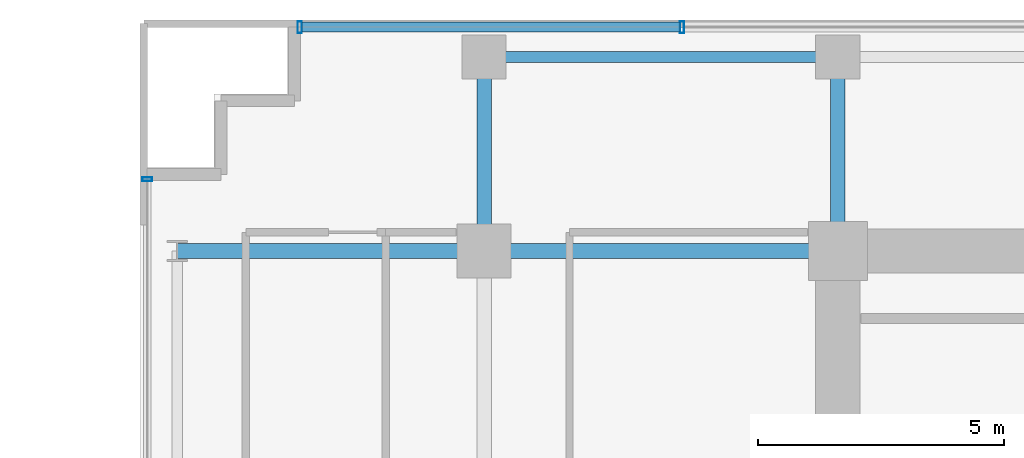
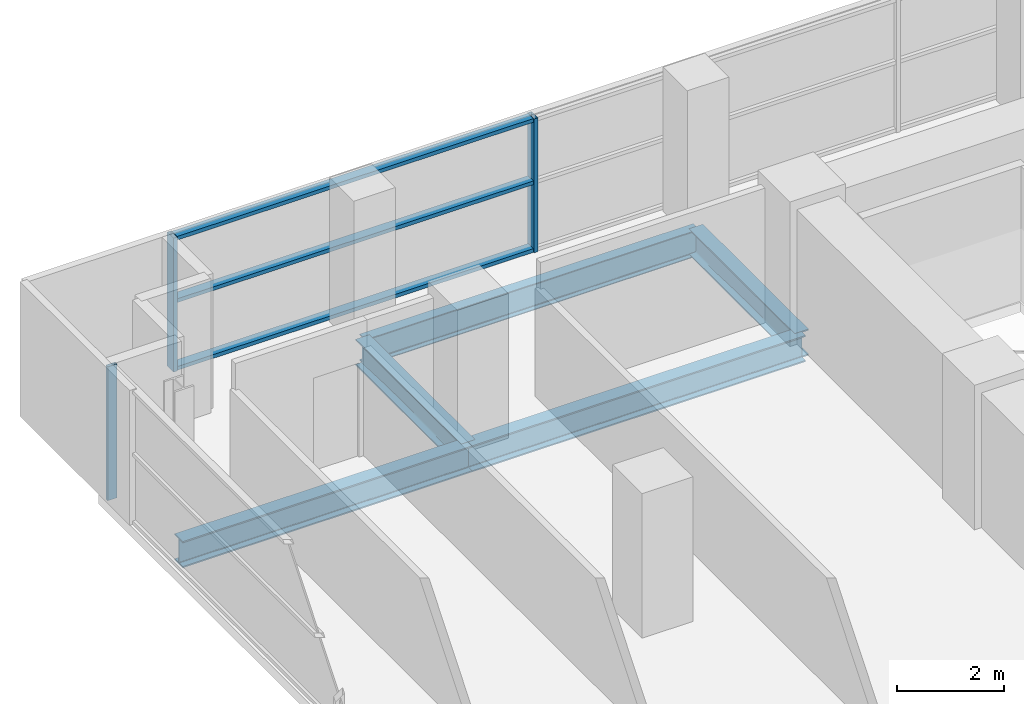
# One storey, part 18 of 31: 6 members, 5 beams, 2 elements without a shape of their own.
"""IFC4 building model written with IfcOpenShell, lengths in metres."""

from ifc_helpers import new_model, si_unit, direction, frame, origin, origin_2d, place, context, subcontext, project, spatial, hollow_rectangle, i_section, extrude, source, transform, mapped, material, layer, layer_set, material_profile, profile_set, type_object, element, aggregate, save


model = new_model("IFC4")

# Units and contexts
model_context = context("Model", 3, precision=1e-05, world=origin(), true_north=direction((0.0, 1.0)))
body_context = subcontext(model_context, "Body", "Model", "MODEL_VIEW")
ifc_project = project(units=[si_unit("LENGTHUNIT", "METRE"), si_unit("AREAUNIT", "SQUARE_METRE"), si_unit("VOLUMEUNIT", "CUBIC_METRE"), si_unit("PLANEANGLEUNIT", "RADIAN"), si_unit("MASSUNIT", "GRAM", prefix="KILO")], contexts=[model_context])

# Site, building, storey
site_placement = place(None, origin())
site = spatial("IfcSite", under=ifc_project, at=site_placement, CompositionType="ELEMENT")
building_placement = place(site_placement, origin())
building = spatial("IfcBuilding", under=site, at=building_placement, Name="Zarnakvel Exchange Tower", CompositionType="ELEMENT")
storey_placement = place(building_placement, frame((0.0, 0.0, 67.0)))
storey = spatial("IfcBuildingStorey", under=building, at=storey_placement, Name="L18", CompositionType="ELEMENT", Elevation=67.0)

# Beams
ifc_material_1 = material(Name="Steel S355", Category="steel")
ifc_material_profile_1 = material_profile(ifc_material_1, i_section(OverallWidth=0.300048828125, OverallDepth=0.60009765625, WebThickness=0.015380859375, FlangeThickness=0.030029296875, FilletRadius=0.027099609375, at=origin_2d()))
ifc_profile_set_1 = profile_set([ifc_material_profile_1], Name="Steel S355")
beam_type_1 = type_object("IfcBeamType", Name="G-04", PredefinedType="BEAM", material=ifc_profile_set_1)
beam_1_placement = place(storey_placement, frame((-27.85009765625, 13.5, -0.52490234375), z_axis=(1.0, 0.0, 0.0), x_axis=(0.0, 1.0, 0.0)))
element("IfcBeam", 1, at=beam_1_placement, inside=storey, type_object=beam_type_1, Name="L18 Tower E-W Frame Beam", PredefinedType="BEAM", context=body_context, shape_type="SweptSolid", body=[
    extrude(i_section(OverallWidth=0.300048828125, OverallDepth=0.60009765625, WebThickness=0.015380859375, FlangeThickness=0.030029296875, FilletRadius=0.027099609375, at=origin_2d()), origin(), (0.0, 0.0, 1.0), 6.25),
])
beam_2_placement = place(storey_placement, frame((-21.60009765625, 13.5, -0.52490234375), z_axis=(1.0, 0.0, 0.0), x_axis=(0.0, 1.0, 0.0)))
element("IfcBeam", 2, at=beam_2_placement, inside=storey, type_object=beam_type_1, Name="L18 Tower E-W Frame Beam", PredefinedType="BEAM", context=body_context, shape_type="SweptSolid", body=[
    extrude(i_section(OverallWidth=0.300048828125, OverallDepth=0.60009765625, WebThickness=0.015380859375, FlangeThickness=0.030029296875, FilletRadius=0.027099609375, at=origin_2d()), origin(), (0.0, 0.0, 1.0), 7.2001953125),
])
for number, where, z_axis, x_axis, name in (
    (3, (-21.60009765625, 13.5, -0.52490234375), (0.0, 1.0, 0.0), (-1.0, 0.0, 0.0), "L18 Tower N-S Frame Beam"),
    (4, (-14.39990234375, 13.5, -0.52490234375), (0.0, 1.0, 0.0), (-1.0, 0.0, 0.0), "L18 Tower N-S Frame Beam"),
):
    element("IfcBeam", number, at=place(storey_placement, frame(where, z_axis=z_axis, x_axis=x_axis)), inside=storey, type_object=beam_type_1, Name=name, PredefinedType="BEAM", context=body_context, shape_type="SweptSolid", body=[
        extrude(i_section(OverallWidth=0.300048828125, OverallDepth=0.60009765625, WebThickness=0.015380859375, FlangeThickness=0.030029296875, FilletRadius=0.027099609375, at=origin_2d()), origin(), (0.0, 0.0, 1.0), 3.949951171875),
    ])
ifc_material_profile_2 = material_profile(ifc_material_1, i_section(OverallWidth=0.219970703125, OverallDepth=0.60009765625, WebThickness=0.011962890625, FlangeThickness=0.01904296875, FilletRadius=0.02392578125, at=origin_2d()))
ifc_profile_set_2 = profile_set([ifc_material_profile_2], Name="Steel S355")
beam_type_2 = type_object("IfcBeamType", Name="SP-01", PredefinedType="SPANDREL", material=ifc_profile_set_2)
beam_3_placement = place(storey_placement, frame((-21.60009765625, 17.449951171875, -0.52490234375), z_axis=(1.0, 0.0, 0.0), x_axis=(0.0, 1.0, 0.0)))
element("IfcBeam", 5, at=beam_3_placement, inside=storey, type_object=beam_type_2, Name="L18 Tower E-W Frame Beam", PredefinedType="SPANDREL", context=body_context, shape_type="SweptSolid", body=[
    extrude(i_section(OverallWidth=0.219970703125, OverallDepth=0.60009765625, WebThickness=0.011962890625, FlangeThickness=0.01904296875, FilletRadius=0.02392578125, at=origin_2d()), origin(), (0.0, 0.0, 1.0), 7.2001953125),
])

# Curtain wall, members
ifc_material_2 = material(Name="Architectural Bronze Anodised Aluminium", Category="aluminium")
ifc_layer_1 = layer(ifc_material_2, 0.239990234375)
ifc_layer_set_1 = layer_set([ifc_layer_1], Name="Architectural Bronze Anodised Aluminium")
curtain_wall_type_1 = type_object("IfcCurtainWallType", Name="CW-02", PredefinedType="NOTDEFINED", material=ifc_layer_set_1)
curtain_wall_1_placement = place(storey_placement, origin())
curtain_wall_1 = element("IfcCurtainWall", 6, at=curtain_wall_1_placement, inside=storey, type_object=curtain_wall_type_1, Name="L18 Curtain Wall CW-L18-N1 (CW-02)", PredefinedType="NOTDEFINED")
ifc_material_profile_3 = material_profile(ifc_material_2, hollow_rectangle(XDim=0.199951171875, YDim=0.0849609375, WallThickness=0.0048828125, at=origin_2d()))
ifc_profile_set_3 = profile_set([ifc_material_profile_3], Name="Architectural Bronze Anodised Aluminium")
member_type_1 = type_object("IfcMemberType", Name="CWT-02", PredefinedType="USERDEFINED", material=ifc_profile_set_3)
shared_shape_1 = source(origin(), body_context, "Body", "SweptSolid", [
    extrude(hollow_rectangle(XDim=0.199951171875, YDim=0.0849609375, WallThickness=0.0048828125, at=origin_2d()), origin(), (0.0, 0.0, 1.0), 7.693603515625),
])
member_1_placement = place(storey_placement, frame((-25.31005859375, 18.06005859375, 0.04248046875), z_axis=(1.0, 0.0, 0.0), x_axis=(0.0, 1.0, 0.0)))
member_1 = element("IfcMember", 7, at=member_1_placement, type_object=member_type_1, Name="CW-02 transom 1.1", ObjectType="TRANSOM", PredefinedType="USERDEFINED", context=body_context, shape_type="MappedRepresentation", body=[
    mapped(shared_shape_1, transform((0.0, 0.0, 0.0), x_axis=(1.0, 0.0, 0.0), y_axis=(0.0, 1.0, 0.0), z_axis=(0.0, 0.0, 1.0), scale=1.0)),
])
member_2_placement = place(storey_placement, frame((-25.31005859375, 18.06005859375, 1.588623046875), z_axis=(1.0, 0.0, 0.0), x_axis=(0.0, 1.0, 0.0)))
member_2 = element("IfcMember", 8, at=member_2_placement, type_object=member_type_1, Name="CW-02 transom 1.2", ObjectType="TRANSOM", PredefinedType="USERDEFINED", context=body_context, shape_type="MappedRepresentation", body=[
    mapped(shared_shape_1, transform((0.0, 0.0, 0.0), x_axis=(1.0, 0.0, 0.0), y_axis=(0.0, 1.0, 0.0), z_axis=(0.0, 0.0, 1.0), scale=1.0)),
])
member_3_placement = place(storey_placement, frame((-25.31005859375, 18.06005859375, 3.012451171875), z_axis=(1.0, 0.0, 0.0), x_axis=(0.0, 1.0, 0.0)))
member_3 = element("IfcMember", 9, at=member_3_placement, type_object=member_type_1, Name="CW-02 transom 1.3", ObjectType="TRANSOM", PredefinedType="USERDEFINED", context=body_context, shape_type="MappedRepresentation", body=[
    mapped(shared_shape_1, transform((0.0, 0.0, 0.0), x_axis=(1.0, 0.0, 0.0), y_axis=(0.0, 1.0, 0.0), z_axis=(0.0, 0.0, 1.0), scale=1.0)),
])
ifc_material_profile_4 = material_profile(ifc_material_2, hollow_rectangle(XDim=0.239990234375, YDim=0.090087890625, WallThickness=0.006103515625, at=origin_2d()))
ifc_profile_set_4 = profile_set([ifc_material_profile_4], Name="Architectural Bronze Anodised Aluminium")
member_type_2 = type_object("IfcMemberType", Name="CWM-02", PredefinedType="MULLION", material=ifc_profile_set_4)
shared_shape_2 = source(origin(), body_context, "Body", "SweptSolid", [
    extrude(hollow_rectangle(XDim=0.239990234375, YDim=0.090087890625, WallThickness=0.006103515625, at=origin_2d()), origin(), (0.0, 0.0, 1.0), 3.054931640625),
])
member_4_placement = place(storey_placement, frame((-25.35498046875, 18.06005859375, 0.0), z_axis=(0.0, 0.0, 1.0), x_axis=(0.0, 1.0, 0.0)))
member_4 = element("IfcMember", 10, at=member_4_placement, type_object=member_type_2, Name="CW-02 mullion 1", PredefinedType="MULLION", context=body_context, shape_type="MappedRepresentation", body=[
    mapped(shared_shape_2, transform((0.0, 0.0, 0.0), x_axis=(1.0, 0.0, 0.0), y_axis=(0.0, 1.0, 0.0), z_axis=(0.0, 0.0, 1.0), scale=1.0)),
])
member_5_placement = place(storey_placement, frame((-17.571533203125, 18.06005859375, 0.0), z_axis=(0.0, 0.0, 1.0), x_axis=(0.0, 1.0, 0.0)))
member_5 = element("IfcMember", 11, at=member_5_placement, type_object=member_type_2, Name="CW-02 mullion 2", PredefinedType="MULLION", context=body_context, shape_type="MappedRepresentation", body=[
    mapped(shared_shape_2, transform((0.0, 0.0, 0.0), x_axis=(1.0, 0.0, 0.0), y_axis=(0.0, 1.0, 0.0), z_axis=(0.0, 0.0, 1.0), scale=1.0)),
])
aggregate(curtain_wall_1, [member_4, member_5, member_1, member_2, member_3])

# Curtain wall, member
ifc_layer_2 = layer(ifc_material_2, 0.199951171875)
ifc_layer_set_2 = layer_set([ifc_layer_2], Name="Architectural Bronze Anodised Aluminium")
curtain_wall_type_2 = type_object("IfcCurtainWallType", Name="CW-04", PredefinedType="NOTDEFINED", material=ifc_layer_set_2)
curtain_wall_2_placement = place(storey_placement, origin())
curtain_wall_2 = element("IfcCurtainWall", 12, at=curtain_wall_2_placement, inside=storey, type_object=curtain_wall_type_2, Name="L18 Curtain Wall CW-L18-WN (CW-04)", PredefinedType="NOTDEFINED")
ifc_material_profile_5 = material_profile(ifc_material_2, hollow_rectangle(XDim=0.199951171875, YDim=0.074951171875, WallThickness=0.0048828125, at=origin_2d()))
ifc_profile_set_5 = profile_set([ifc_material_profile_5], Name="Architectural Bronze Anodised Aluminium")
member_type_3 = type_object("IfcMemberType", Name="CWM-04", PredefinedType="MULLION", material=ifc_profile_set_5)
shared_shape_3 = source(origin(), body_context, "Body", "SweptSolid", [
    extrude(hollow_rectangle(XDim=0.199951171875, YDim=0.074951171875, WallThickness=0.0048828125, at=origin_2d()), origin(), (0.0, 0.0, 1.0), 3.054931640625),
])
member_6_placement = place(storey_placement, frame((-28.4599609375, 14.96240234375, 0.0), z_axis=(0.0, 0.0, 1.0), x_axis=(-1.0, 0.0, 0.0)))
member_6 = element("IfcMember", 13, at=member_6_placement, type_object=member_type_3, Name="CW-04 mullion 3", PredefinedType="MULLION", context=body_context, shape_type="MappedRepresentation", body=[
    mapped(shared_shape_3, transform((0.0, 0.0, 0.0), x_axis=(1.0, 0.0, 0.0), y_axis=(0.0, 1.0, 0.0), z_axis=(0.0, 0.0, 1.0), scale=1.0)),
])
aggregate(curtain_wall_2, [member_6])

save(model, "model.ifc")
